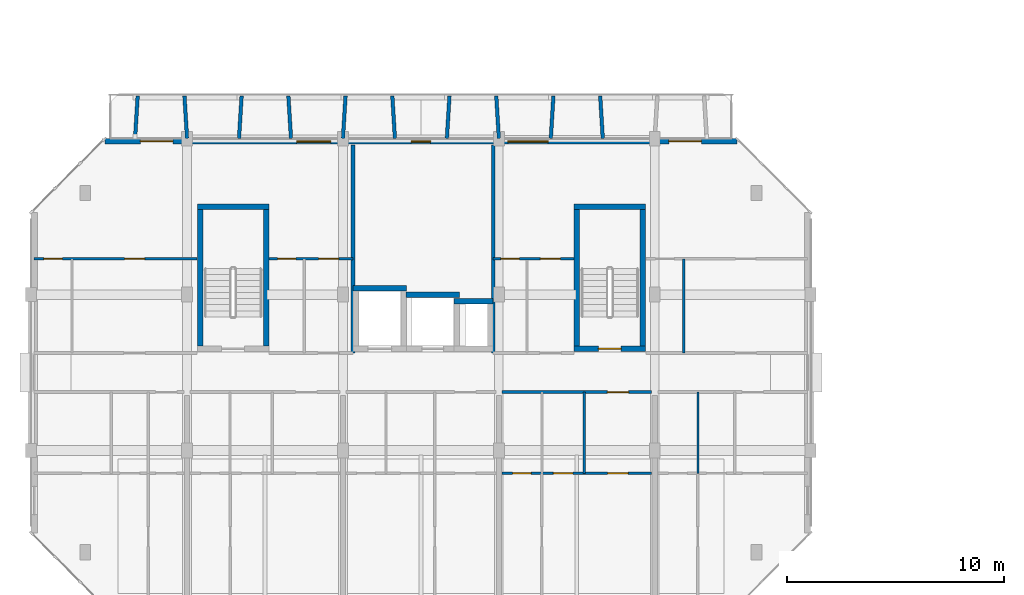
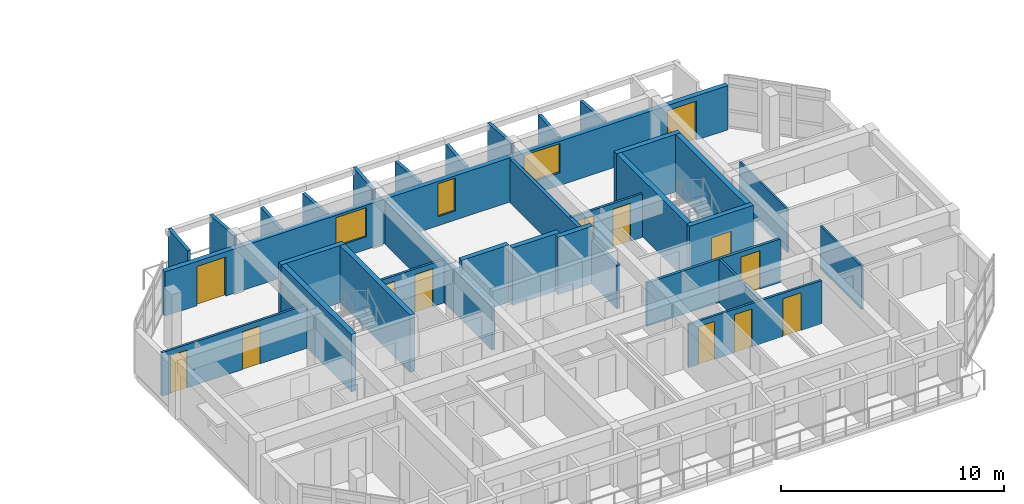
# One storey, part 16 of 43: 31 walls, 13 doors, 3 windows, 16 openings.
"""IFC4 building model written with IfcOpenShell, lengths in metres."""

from ifc_helpers import new_model, si_unit, direction, frame, frame_2d, origin, place, context, subcontext, project, spatial, rectangle, extrude, material, layer, layer_set, type_object, element, fill, save


model = new_model("IFC4")

# Units and contexts
model_context = context("Model", 3, precision=1e-05, world=origin(), true_north=direction((0.0, 1.0)))
body_context = subcontext(model_context, "Body", "Model", "MODEL_VIEW")
ifc_project = project(units=[si_unit("LENGTHUNIT", "METRE"), si_unit("AREAUNIT", "SQUARE_METRE"), si_unit("VOLUMEUNIT", "CUBIC_METRE"), si_unit("PLANEANGLEUNIT", "RADIAN"), si_unit("MASSUNIT", "GRAM", prefix="KILO")], contexts=[model_context])

# Site, building, storey
site_placement = place(None, origin())
site = spatial("IfcSite", under=ifc_project, at=site_placement, CompositionType="ELEMENT")
building_placement = place(site_placement, origin())
building = spatial("IfcBuilding", under=site, at=building_placement, Name="Ochrevale Crest", CompositionType="ELEMENT")
storey_placement = place(building_placement, frame((0.0, 0.0, 15.0)))
storey = spatial("IfcBuildingStorey", under=building, at=storey_placement, Name="L04", CompositionType="ELEMENT", Elevation=15.0)

# Wall, opening, door
ifc_material_1 = material(Name="Gypsum plasterboard", Category="gypsum")
ifc_layer_1 = layer(ifc_material_1, 0.139892578125)
ifc_layer_set_1 = layer_set([ifc_layer_1], Name="Gypsum plasterboard")
wall_type_1 = type_object("IfcWallType", Name="WL-COR-140", PredefinedType="PARTITIONING", material=ifc_layer_set_1)
wall_1_placement = place(storey_placement, frame((21.739990234375, 24.300048828125, 0.0), z_axis=(0.0, 0.0, 1.0), x_axis=(1.0, 0.0, 0.0)))
wall_1 = element("IfcWall", 1, at=wall_1_placement, inside=storey, type_object=wall_type_1, Name="Apartment A-L04-U4 corridor wall", PredefinedType="PARTITIONING", context=body_context, shape_type="SweptSolid", body=[
    extrude(rectangle(XDim=6.919921875, YDim=0.139892578125, at=frame_2d((3.4599609375, 0.0))), origin(), (0.0, 0.0, 1.0), 2.3798828125),
])
opening_1_placement = place(wall_1_placement, frame((5.85009765625, 0.0, 0.0), z_axis=(0.0, 0.0, 1.0), x_axis=(-1.0, 0.0, 0.0)))
opening_1 = element("IfcOpeningElement", 2, at=opening_1_placement, cuts=wall_1, Name="Opening FD01", PredefinedType="OPENING", context=body_context, shape_type="SweptSolid", body=[
    extrude(rectangle(XDim=0.97998046875, YDim=2.10009765625, at=frame_2d((0.489990234375, 1.050048828125))), frame((0.0, 0.080078125, 0.0), z_axis=(0.0, -1.0, 0.0), x_axis=(1.0, 0.0, 0.0)), (0.0, 0.0, 1.0), 0.159912109375),
])
ifc_material_2 = material(Name="Solid-core FSC hardwood", Category="wood")
door_type_1 = type_object("IfcDoorType", Name="DR-APT-950", OperationType="NOTDEFINED", PredefinedType="DOOR", material=ifc_material_2)
door_1_placement = place(opening_1_placement, origin())
door_1 = element("IfcDoor", 3, at=door_1_placement, inside=storey, type_object=door_type_1, Name="Apartment A-L04-U4 entrance door", OperationType="SINGLE_SWING_RIGHT", OverallHeight=2.10009765625, OverallWidth=0.97998046875, PredefinedType="DOOR", context=body_context, shape_type="SweptSolid", body=[
    extrude(rectangle(XDim=0.97998046875, YDim=2.10009765625, at=frame_2d((0.489990234375, 1.050048828125))), frame((0.0, 0.02490234375, 0.0), z_axis=(0.0, -1.0, 0.0), x_axis=(1.0, 0.0, 0.0)), (0.0, 0.0, 1.0), 0.050048828125),
])
fill(opening_1, door_1)

# Walls
ifc_material_3 = material(Name="Precast concrete C50/60", Category="concrete")
ifc_layer_2 = layer(ifc_material_3, 0.2548828125)
ifc_layer_set_2 = layer_set([ifc_layer_2], Name="Precast concrete C50/60")
wall_type_2 = type_object("IfcWallType", Name="WL-CORE-255", PredefinedType="SHEAR", material=ifc_layer_set_2)
wall_2_placement = place(storey_placement, frame((7.672607421875, 32.85009765625, 0.0), z_axis=(0.0, 0.0, 1.0), x_axis=(1.0, 0.0, 0.0)))
element("IfcWall", 4, at=wall_2_placement, inside=storey, type_object=wall_type_2, Name="Block A L04 Stair 1 precast core shear wall N", PredefinedType="SHEAR", context=body_context, shape_type="SweptSolid", body=[
    extrude(rectangle(XDim=3.304931640625, YDim=0.2548828125, at=frame_2d((1.65234375, 0.0))), origin(), (0.0, 0.0, 1.0), 3.14990234375),
])
for number, where, z_axis, x_axis, name in (
    (5, (7.800048828125, 26.427490234375, 0.0), (0.0, 0.0, 1.0), (0.0, 1.0, 0.0), "Block A L04 Stair 1 precast core shear wall W"),
    (6, (10.85009765625, 26.427490234375, 0.0), (0.0, 0.0, 1.0), (0.0, 1.0, 0.0), "Block A L04 Stair 1 precast core shear wall E"),
):
    element("IfcWall", number, at=place(storey_placement, frame(where, z_axis=z_axis, x_axis=x_axis)), inside=storey, type_object=wall_type_2, Name=name, PredefinedType="SHEAR", context=body_context, shape_type="SweptSolid", body=[
        extrude(rectangle(XDim=6.294921875, YDim=0.2548828125, at=frame_2d((3.1474609375, 0.0))), origin(), (0.0, 0.0, 1.0), 3.14990234375),
    ])

# Wall, opening, door
wall_3_placement = place(storey_placement, frame((25.072509765625, 26.300048828125, 0.0), z_axis=(0.0, 0.0, 1.0), x_axis=(1.0, 0.0, 0.0)))
wall_3 = element("IfcWall", 7, at=wall_3_placement, inside=storey, type_object=wall_type_2, Name="Block A L04 Stair 2 precast core shear wall S", PredefinedType="SHEAR", context=body_context, shape_type="SweptSolid", body=[
    extrude(rectangle(XDim=3.304931640625, YDim=0.2548828125, at=frame_2d((1.65234375, 0.0))), origin(), (0.0, 0.0, 1.0), 3.14990234375),
])
opening_2_placement = place(wall_3_placement, frame((1.12744140625, 0.0, 0.0)))
opening_2 = element("IfcOpeningElement", 8, at=opening_2_placement, cuts=wall_3, Name="Opening FD03", PredefinedType="OPENING", context=body_context, shape_type="SweptSolid", body=[
    extrude(rectangle(XDim=1.050048828125, YDim=2.1201171875, at=frame_2d((0.52490234375, 1.06005859375))), frame((0.0, 0.137451171875, 0.0), z_axis=(0.0, -1.0, 0.0), x_axis=(1.0, 0.0, 0.0)), (0.0, 0.0, 1.0), 0.27490234375),
])
door_type_2 = type_object("IfcDoorType", Name="DR-ST-1050", OperationType="NOTDEFINED", PredefinedType="DOOR", material=ifc_material_2)
door_2_placement = place(opening_2_placement, origin())
door_2 = element("IfcDoor", 9, at=door_2_placement, inside=storey, type_object=door_type_2, Name="Block A L04 fire stair 2 door", OperationType="SINGLE_SWING_LEFT", OverallHeight=2.1201171875, OverallWidth=1.050048828125, PredefinedType="DOOR", context=body_context, shape_type="SweptSolid", body=[
    extrude(rectangle(XDim=1.050048828125, YDim=2.1201171875, at=frame_2d((0.52490234375, 1.06005859375))), frame((0.0, 0.02490234375, 0.0), z_axis=(0.0, -1.0, 0.0), x_axis=(1.0, 0.0, 0.0)), (0.0, 0.0, 1.0), 0.050048828125),
])
fill(opening_2, door_2)

# Walls
wall_4_placement = place(storey_placement, frame((25.072509765625, 32.85009765625, 0.0), z_axis=(0.0, 0.0, 1.0), x_axis=(1.0, 0.0, 0.0)))
element("IfcWall", 10, at=wall_4_placement, inside=storey, type_object=wall_type_2, Name="Block A L04 Stair 2 precast core shear wall N", PredefinedType="SHEAR", context=body_context, shape_type="SweptSolid", body=[
    extrude(rectangle(XDim=3.304931640625, YDim=0.2548828125, at=frame_2d((1.65234375, 0.0))), origin(), (0.0, 0.0, 1.0), 3.14990234375),
])
for number, where, z_axis, x_axis, name in (
    (11, (25.199951171875, 26.427490234375, 0.0), (0.0, 0.0, 1.0), (0.0, 1.0, 0.0), "Block A L04 Stair 2 precast core shear wall W"),
    (12, (28.25, 26.427490234375, 0.0), (0.0, 0.0, 1.0), (0.0, 1.0, 0.0), "Block A L04 Stair 2 precast core shear wall E"),
):
    element("IfcWall", number, at=place(storey_placement, frame(where, z_axis=z_axis, x_axis=x_axis)), inside=storey, type_object=wall_type_2, Name=name, PredefinedType="SHEAR", context=body_context, shape_type="SweptSolid", body=[
        extrude(rectangle(XDim=6.294921875, YDim=0.2548828125, at=frame_2d((3.1474609375, 0.0))), origin(), (0.0, 0.0, 1.0), 3.14990234375),
    ])
wall_5_placement = place(storey_placement, frame((14.87255859375, 29.10009765625, 0.0), z_axis=(0.0, 0.0, 1.0), x_axis=(1.0, 0.0, 0.0)))
element("IfcWall", 13, at=wall_5_placement, inside=storey, type_object=wall_type_2, Name="Block A L04 Lift 1 precast shaft shear wall N", PredefinedType="SHEAR", context=body_context, shape_type="SweptSolid", body=[
    extrude(rectangle(XDim=2.454833984375, YDim=0.2548828125, at=frame_2d((1.2275390625, 0.0))), origin(), (0.0, 0.0, 1.0), 3.14990234375),
])
wall_6_placement = place(storey_placement, frame((17.322509765625, 28.800048828125, 0.0), z_axis=(0.0, 0.0, 1.0), x_axis=(1.0, 0.0, 0.0)))
element("IfcWall", 14, at=wall_6_placement, inside=storey, type_object=wall_type_2, Name="Block A L04 Lift 2 precast shaft shear wall N", PredefinedType="SHEAR", context=body_context, shape_type="SweptSolid", body=[
    extrude(rectangle(XDim=2.455078125, YDim=0.2548828125, at=frame_2d((1.2275390625, 0.0))), origin(), (0.0, 0.0, 1.0), 3.14990234375),
])
wall_7_placement = place(storey_placement, frame((19.5224609375, 28.5, 0.0), z_axis=(0.0, 0.0, 1.0), x_axis=(1.0, 0.0, 0.0)))
element("IfcWall", 15, at=wall_7_placement, inside=storey, type_object=wall_type_2, Name="Block A L04 services riser shaft core wall N", PredefinedType="SHEAR", context=body_context, shape_type="SweptSolid", body=[
    extrude(rectangle(XDim=1.804931640625, YDim=0.2548828125, at=frame_2d((0.90234375, 0.0))), origin(), (0.0, 0.0, 1.0), 3.14990234375),
])

# Wall, openings, doors, windows
ifc_material_4 = material(Name="Precast concrete C40/50", Category="concrete")
ifc_layer_3 = layer(ifc_material_4, 0.25)
ifc_layer_set_3 = layer_set([ifc_layer_3], Name="Precast concrete C40/50")
wall_type_3 = type_object("IfcWallType", Name="WL-EXT-GOLD-250", PredefinedType="SOLIDWALL", material=ifc_layer_set_3)
wall_8_placement = place(storey_placement, frame((32.60009765625, 35.875, 0.0), z_axis=(0.0, 0.0, 1.0), x_axis=(-1.0, 0.0, 0.0)))
wall_8 = element("IfcWall", 16, at=wall_8_placement, inside=storey, type_object=wall_type_3, Name="Block A L04 external facade wall E5", PredefinedType="SOLIDWALL", context=body_context, shape_type="SweptSolid", body=[
    extrude(rectangle(XDim=29.2001953125, YDim=0.25, at=frame_2d((14.60009765625, 0.0))), origin(), (0.0, 0.0, 1.0), 2.429931640625),
])
opening_3_placement = place(wall_8_placement, frame((27.550048828125, 0.0, 0.0), z_axis=(0.0, 0.0, 1.0), x_axis=(-1.0, 0.0, 0.0)))
opening_3 = element("IfcOpeningElement", 17, at=opening_3_placement, cuts=wall_8, Name="Opening BD01", PredefinedType="OPENING", context=body_context, shape_type="SweptSolid", body=[
    extrude(rectangle(XDim=1.5, YDim=2.14990234375, at=frame_2d((0.75, 1.074951171875))), frame((0.0, 0.135009765625, 0.0), z_axis=(0.0, -1.0, 0.0), x_axis=(1.0, 0.0, 0.0)), (0.0, 0.0, 1.0), 0.27001953125),
])
opening_4_placement = place(wall_8_placement, frame((3.14990234375, 0.0, 0.0), z_axis=(0.0, 0.0, 1.0), x_axis=(-1.0, 0.0, 0.0)))
opening_4 = element("IfcOpeningElement", 18, at=opening_4_placement, cuts=wall_8, Name="Opening BD01", PredefinedType="OPENING", context=body_context, shape_type="SweptSolid", body=[
    extrude(rectangle(XDim=1.5, YDim=2.14990234375, at=frame_2d((0.75, 1.074951171875))), frame((0.0, 0.135009765625, 0.0), z_axis=(0.0, -1.0, 0.0), x_axis=(1.0, 0.0, 0.0)), (0.0, 0.0, 1.0), 0.27001953125),
])
opening_5_placement = place(wall_8_placement, frame((14.14990234375, 0.0, 0.5)))
opening_5 = element("IfcOpeningElement", 19, at=opening_5_placement, cuts=wall_8, Name="Opening W17", PredefinedType="OPENING", context=body_context, shape_type="SweptSolid", body=[
    extrude(rectangle(XDim=0.89990234375, YDim=1.800048828125, at=frame_2d((0.449951171875, 0.89990234375))), frame((0.0, 0.135009765625, 0.0), z_axis=(0.0, -1.0, 0.0), x_axis=(1.0, 0.0, 0.0)), (0.0, 0.0, 1.0), 0.27001953125),
])
opening_6_placement = place(wall_8_placement, frame((8.72509765625, 0.0, 0.699951171875)))
opening_6 = element("IfcOpeningElement", 20, at=opening_6_placement, cuts=wall_8, Name="Opening W11", PredefinedType="OPENING", context=body_context, shape_type="SweptSolid", body=[
    extrude(rectangle(XDim=1.860107421875, YDim=1.60009765625, at=frame_2d((0.93017578125, 0.800048828125))), frame((0.0, 0.135009765625, 0.0), z_axis=(0.0, -1.0, 0.0), x_axis=(1.0, 0.0, 0.0)), (0.0, 0.0, 1.0), 0.27001953125),
])
opening_7_placement = place(wall_8_placement, frame((18.7548828125, 0.0, 0.699951171875)))
opening_7 = element("IfcOpeningElement", 21, at=opening_7_placement, cuts=wall_8, Name="Opening W09", PredefinedType="OPENING", context=body_context, shape_type="SweptSolid", body=[
    extrude(rectangle(XDim=1.580078125, YDim=1.60009765625, at=frame_2d((0.7900390625, 0.800048828125))), frame((0.0, 0.135009765625, 0.0), z_axis=(0.0, -1.0, 0.0), x_axis=(1.0, 0.0, 0.0)), (0.0, 0.0, 1.0), 0.27001953125),
])
ifc_material_5 = material(Name="Anodised aluminium 6063-T5 and toughened glass", Category="aluminium")
door_type_3 = type_object("IfcDoorType", Name="DR-BAL-1500", OperationType="NOTDEFINED", PredefinedType="DOOR", material=ifc_material_5)
door_3_placement = place(opening_3_placement, origin())
door_3 = element("IfcDoor", 22, at=door_3_placement, inside=storey, type_object=door_type_3, Name="Block A L04 balcony door N1", OperationType="SINGLE_SWING_LEFT", OverallHeight=2.14990234375, OverallWidth=1.5, PredefinedType="DOOR", context=body_context, shape_type="SweptSolid", body=[
    extrude(rectangle(XDim=1.5, YDim=2.14990234375, at=frame_2d((0.75, 1.074951171875))), frame((0.0, 0.02490234375, 0.0), z_axis=(0.0, -1.0, 0.0), x_axis=(1.0, 0.0, 0.0)), (0.0, 0.0, 1.0), 0.050048828125),
])
fill(opening_3, door_3)
door_4_placement = place(opening_4_placement, origin())
door_4 = element("IfcDoor", 23, at=door_4_placement, inside=storey, type_object=door_type_3, Name="Block A L04 balcony door N5", OperationType="SINGLE_SWING_RIGHT", OverallHeight=2.14990234375, OverallWidth=1.5, PredefinedType="DOOR", context=body_context, shape_type="SweptSolid", body=[
    extrude(rectangle(XDim=1.5, YDim=2.14990234375, at=frame_2d((0.75, 1.074951171875))), frame((0.0, 0.02490234375, 0.0), z_axis=(0.0, -1.0, 0.0), x_axis=(1.0, 0.0, 0.0)), (0.0, 0.0, 1.0), 0.050048828125),
])
fill(opening_4, door_4)
ifc_material_6 = material(Name="Anodised aluminium 6063-T5 and low-E double glazing", Category="aluminium")
window_type_1 = type_object("IfcWindowType", Name="WIN-W09", PartitioningType="SINGLE_PANEL", PredefinedType="WINDOW", material=ifc_material_6)
window_1_placement = place(opening_7_placement, origin())
window_1 = element("IfcWindow", 24, at=window_1_placement, inside=storey, type_object=window_type_1, Name="Block A L04 Suite A-L04-MW Courtyard Studio Living window", OverallHeight=1.60009765625, OverallWidth=1.580078125, PartitioningType="SINGLE_PANEL", PredefinedType="WINDOW", context=body_context, shape_type="SweptSolid", body=[
    extrude(rectangle(XDim=1.580078125, YDim=1.60009765625, at=frame_2d((0.7900390625, 0.800048828125))), frame((0.0, 0.030029296875, 0.0), z_axis=(0.0, -1.0, 0.0), x_axis=(1.0, 0.0, 0.0)), (0.0, 0.0, 1.0), 0.06005859375),
])
fill(opening_7, window_1)
window_type_2 = type_object("IfcWindowType", Name="WIN-W11", PartitioningType="SINGLE_PANEL", PredefinedType="WINDOW", material=ifc_material_6)
window_2_placement = place(opening_6_placement, origin())
window_2 = element("IfcWindow", 25, at=window_2_placement, inside=storey, type_object=window_type_2, Name="Block A L04 Suite A-L04-ME Garden Alcove Studio window", OverallHeight=1.60009765625, OverallWidth=1.860107421875, PartitioningType="SINGLE_PANEL", PredefinedType="WINDOW", context=body_context, shape_type="SweptSolid", body=[
    extrude(rectangle(XDim=1.860107421875, YDim=1.60009765625, at=frame_2d((0.93017578125, 0.800048828125))), frame((0.0, 0.030029296875, 0.0), z_axis=(0.0, -1.0, 0.0), x_axis=(1.0, 0.0, 0.0)), (0.0, 0.0, 1.0), 0.06005859375),
])
fill(opening_6, window_2)
window_type_3 = type_object("IfcWindowType", Name="WIN-W17", PartitioningType="SINGLE_PANEL", PredefinedType="WINDOW", material=ifc_material_6)
window_3_placement = place(opening_5_placement, origin())
window_3 = element("IfcWindow", 26, at=window_3_placement, inside=storey, type_object=window_type_3, Name="Block A L04 core lancet window", OverallHeight=1.800048828125, OverallWidth=0.89990234375, PartitioningType="SINGLE_PANEL", PredefinedType="WINDOW", context=body_context, shape_type="SweptSolid", body=[
    extrude(rectangle(XDim=0.89990234375, YDim=1.800048828125, at=frame_2d((0.449951171875, 0.89990234375))), frame((0.0, 0.030029296875, 0.0), z_axis=(0.0, -1.0, 0.0), x_axis=(1.0, 0.0, 0.0)), (0.0, 0.0, 1.0), 0.06005859375),
])
fill(opening_5, window_3)

# Walls
ifc_layer_4 = layer(ifc_material_4, 0.1650390625)
ifc_layer_set_4 = layer_set([ifc_layer_4], Name="Precast concrete C40/50")
wall_type_4 = type_object("IfcWallType", Name="WL-HC-CHEEK-165", PredefinedType="ELEMENTEDWALL", material=ifc_layer_set_4)
for number, where, z_axis, x_axis, name in (
    (27, (4.800048828125, 36.02001953125, 0.0), (0.0, 0.0, 1.0), (0.061046865508, 0.998134900808, 0.0), "Block A L04 N precast honeycomb cheek 1"),
    (28, (7.199951171875, 36.02001953125, 0.0), (0.0, 0.0, 1.0), (-0.061046865508, 0.998134900808, 0.0), "Block A L04 N precast honeycomb cheek 2"),
):
    element("IfcWall", number, at=place(storey_placement, frame(where, z_axis=z_axis, x_axis=x_axis)), inside=storey, type_object=wall_type_4, Name=name, PredefinedType="ELEMENTEDWALL", context=body_context, shape_type="SweptSolid", body=[
        extrude(rectangle(XDim=1.963623046875, YDim=0.1650390625, at=frame_2d((0.98193359375, 0.0))), origin(), (0.0, 0.0, 1.0), 2.949951171875),
    ])
for number, where, z_axis, x_axis, name in (
    (29, (9.60009765625, 36.02001953125, 0.0), (0.0, 0.0, 1.0), (0.061046865508, 0.998134900808, 0.0), "Block A L04 N precast honeycomb cheek 3"),
    (30, (12.0, 36.02001953125, 0.0), (0.0, 0.0, 1.0), (-0.061170732449, 0.998127317276, 0.0), "Block A L04 N precast honeycomb cheek 4"),
):
    element("IfcWall", number, at=place(storey_placement, frame(where, z_axis=z_axis, x_axis=x_axis)), inside=storey, type_object=wall_type_4, Name=name, PredefinedType="ELEMENTEDWALL", context=body_context, shape_type="SweptSolid", body=[
        extrude(rectangle(XDim=1.963623046875, YDim=0.1650390625, at=frame_2d((0.98193359375, 0.0))), origin(), (0.0, 0.0, 1.0), 2.449951171875),
    ])
wall_9_placement = place(storey_placement, frame((14.39990234375, 36.02001953125, 0.0), z_axis=(0.0, 0.0, 1.0), x_axis=(0.061170732449, 0.998127317276, 0.0)))
element("IfcWall", 31, at=wall_9_placement, inside=storey, type_object=wall_type_4, Name="Block A L04 N precast honeycomb cheek 5", PredefinedType="ELEMENTEDWALL", context=body_context, shape_type="SweptSolid", body=[
    extrude(rectangle(XDim=1.963623046875, YDim=0.1650390625, at=frame_2d((0.98193359375, 0.0))), origin(), (0.0, 0.0, 1.0), 2.949951171875),
])
for number, where, z_axis, x_axis, name in (
    (32, (16.800048828125, 36.02001953125, 0.0), (0.0, 0.0, 1.0), (-0.061170732449, 0.998127317276, 0.0), "Block A L04 N precast honeycomb cheek 6"),
    (33, (19.199951171875, 36.02001953125, 0.0), (0.0, 0.0, 1.0), (0.061170732449, 0.998127317276, 0.0), "Block A L04 N precast honeycomb cheek 7"),
):
    element("IfcWall", number, at=place(storey_placement, frame(where, z_axis=z_axis, x_axis=x_axis)), inside=storey, type_object=wall_type_4, Name=name, PredefinedType="ELEMENTEDWALL", context=body_context, shape_type="SweptSolid", body=[
        extrude(rectangle(XDim=1.963623046875, YDim=0.1650390625, at=frame_2d((0.98193359375, 0.0))), origin(), (0.0, 0.0, 1.0), 2.530029296875),
    ])
wall_10_placement = place(storey_placement, frame((21.60009765625, 36.02001953125, 0.0), z_axis=(0.0, 0.0, 1.0), x_axis=(-0.061170732449, 0.998127317276, 0.0)))
element("IfcWall", 34, at=wall_10_placement, inside=storey, type_object=wall_type_4, Name="Block A L04 N precast honeycomb cheek 8", PredefinedType="ELEMENTEDWALL", context=body_context, shape_type="SweptSolid", body=[
    extrude(rectangle(XDim=1.963623046875, YDim=0.1650390625, at=frame_2d((0.98193359375, 0.0))), origin(), (0.0, 0.0, 1.0), 2.949951171875),
])
for number, where, z_axis, x_axis, name in (
    (35, (24.0, 36.02001953125, 0.0), (0.0, 0.0, 1.0), (0.061170732449, 0.998127317276, 0.0), "Block A L04 N precast honeycomb cheek 9"),
    (36, (26.39990234375, 36.02001953125, 0.0), (0.0, 0.0, 1.0), (-0.061046865508, 0.998134900808, 0.0), "Block A L04 N precast honeycomb cheek 10"),
):
    element("IfcWall", number, at=place(storey_placement, frame(where, z_axis=z_axis, x_axis=x_axis)), inside=storey, type_object=wall_type_4, Name=name, PredefinedType="ELEMENTEDWALL", context=body_context, shape_type="SweptSolid", body=[
        extrude(rectangle(XDim=1.963623046875, YDim=0.1650390625, at=frame_2d((0.98193359375, 0.0))), origin(), (0.0, 0.0, 1.0), 2.47998046875),
    ])
ifc_layer_5 = layer(ifc_material_1, 0.1201171875)
ifc_layer_set_5 = layer_set([ifc_layer_5], Name="Gypsum plasterboard")
wall_type_5 = type_object("IfcWallType", Name="WL-PART-120", PredefinedType="PARTITIONING", material=ifc_layer_set_5)
wall_11_placement = place(storey_placement, frame((25.5400390625, 20.550048828125, 0.0), z_axis=(0.0, 0.0, 1.0), x_axis=(0.0, 1.0, 0.0)))
element("IfcWall", 37, at=wall_11_placement, inside=storey, type_object=wall_type_5, Name="Apartment A-L04-U4 kitchen-foyer wall", PredefinedType="PARTITIONING", context=body_context, shape_type="SweptSolid", body=[
    extrude(rectangle(XDim=3.75, YDim=0.1201171875, at=frame_2d((1.875, 0.0))), origin(), (0.0, 0.0, 1.0), 2.375),
])

# Wall, openings, doors
wall_12_placement = place(storey_placement, frame((21.739990234375, 20.550048828125, 0.0), z_axis=(0.0, 0.0, 1.0), x_axis=(1.0, 0.0, 0.0)))
wall_12 = element("IfcWall", 38, at=wall_12_placement, inside=storey, type_object=wall_type_5, Name="Apartment A-L04-U4 central partition", PredefinedType="PARTITIONING", context=body_context, shape_type="SweptSolid", body=[
    extrude(rectangle(XDim=6.919921875, YDim=0.1201171875, at=frame_2d((3.4599609375, 0.0))), origin(), (0.0, 0.0, 1.0), 2.3798828125),
])
opening_8_placement = place(wall_12_placement, frame((0.5, 0.0, 0.0)))
opening_8 = element("IfcOpeningElement", 39, at=opening_8_placement, cuts=wall_12, Name="Opening ID01", PredefinedType="OPENING", context=body_context, shape_type="SweptSolid", body=[
    extrude(rectangle(XDim=0.85009765625, YDim=2.080078125, at=frame_2d((0.425048828125, 1.0400390625))), frame((0.0, 0.070068359375, 0.0), z_axis=(0.0, -1.0, 0.0), x_axis=(1.0, 0.0, 0.0)), (0.0, 0.0, 1.0), 0.14013671875),
])
opening_9_placement = place(wall_12_placement, frame((3.27490234375, 0.0, 0.0), z_axis=(0.0, 0.0, 1.0), x_axis=(-1.0, 0.0, 0.0)))
opening_9 = element("IfcOpeningElement", 40, at=opening_9_placement, cuts=wall_12, Name="Opening ID02", PredefinedType="OPENING", context=body_context, shape_type="SweptSolid", body=[
    extrude(rectangle(XDim=0.89990234375, YDim=2.080078125, at=frame_2d((0.449951171875, 1.0400390625))), frame((0.0, 0.070068359375, 0.0), z_axis=(0.0, -1.0, 0.0), x_axis=(1.0, 0.0, 0.0)), (0.0, 0.0, 1.0), 0.14013671875),
])
opening_10_placement = place(wall_12_placement, frame((4.885009765625, 0.0, 0.0)))
opening_10 = element("IfcOpeningElement", 41, at=opening_10_placement, cuts=wall_12, Name="Opening ID06", PredefinedType="OPENING", context=body_context, shape_type="SweptSolid", body=[
    extrude(rectangle(XDim=0.949951171875, YDim=2.080078125, at=frame_2d((0.47509765625, 1.0400390625))), frame((0.0, 0.070068359375, 0.0), z_axis=(0.0, -1.0, 0.0), x_axis=(1.0, 0.0, 0.0)), (0.0, 0.0, 1.0), 0.14013671875),
])
door_type_4 = type_object("IfcDoorType", Name="DR-INT-900", OperationType="NOTDEFINED", PredefinedType="DOOR", material=ifc_material_2)
door_5_placement = place(opening_9_placement, origin())
door_5 = element("IfcDoor", 42, at=door_5_placement, inside=storey, type_object=door_type_4, Name="Apartment A-L04-U4 Kitchen door", OperationType="SINGLE_SWING_RIGHT", OverallHeight=2.080078125, OverallWidth=0.89990234375, PredefinedType="DOOR", context=body_context, shape_type="SweptSolid", body=[
    extrude(rectangle(XDim=0.89990234375, YDim=2.080078125, at=frame_2d((0.449951171875, 1.0400390625))), frame((0.0, 0.02490234375, 0.0), z_axis=(0.0, -1.0, 0.0), x_axis=(1.0, 0.0, 0.0)), (0.0, 0.0, 1.0), 0.050048828125),
])
fill(opening_9, door_5)
door_type_5 = type_object("IfcDoorType", Name="DR-INT-950", OperationType="NOTDEFINED", PredefinedType="DOOR", material=ifc_material_2)
door_6_placement = place(opening_10_placement, origin())
door_6 = element("IfcDoor", 43, at=door_6_placement, inside=storey, type_object=door_type_5, Name="Apartment A-L04-U4 Living Foyer door", OperationType="SINGLE_SWING_LEFT", OverallHeight=2.080078125, OverallWidth=0.949951171875, PredefinedType="DOOR", context=body_context, shape_type="SweptSolid", body=[
    extrude(rectangle(XDim=0.949951171875, YDim=2.080078125, at=frame_2d((0.47509765625, 1.0400390625))), frame((0.0, 0.02490234375, 0.0), z_axis=(0.0, -1.0, 0.0), x_axis=(1.0, 0.0, 0.0)), (0.0, 0.0, 1.0), 0.050048828125),
])
fill(opening_10, door_6)
door_type_6 = type_object("IfcDoorType", Name="DR-WC-850", OperationType="NOTDEFINED", PredefinedType="DOOR", material=ifc_material_2)
door_7_placement = place(opening_8_placement, origin())
door_7 = element("IfcDoor", 44, at=door_7_placement, inside=storey, type_object=door_type_6, Name="Apartment A-L04-U4 Bathroom door", OperationType="SINGLE_SWING_LEFT", OverallHeight=2.080078125, OverallWidth=0.85009765625, PredefinedType="DOOR", context=body_context, shape_type="SweptSolid", body=[
    extrude(rectangle(XDim=0.85009765625, YDim=2.080078125, at=frame_2d((0.425048828125, 1.0400390625))), frame((0.0, 0.02490234375, 0.0), z_axis=(0.0, -1.0, 0.0), x_axis=(1.0, 0.0, 0.0)), (0.0, 0.0, 1.0), 0.050048828125),
])
fill(opening_8, door_7)

wall_13_placement = place(storey_placement, frame((0.139892578125, 30.449951171875, 0.0), z_axis=(0.0, 0.0, 1.0), x_axis=(1.0, 0.0, 0.0)))
wall_13 = element("IfcWall", 45, at=wall_13_placement, inside=storey, type_object=wall_type_5, Name="Suite A-L04-CW internal wall", PredefinedType="PARTITIONING", context=body_context, shape_type="SweptSolid", body=[
    extrude(rectangle(XDim=7.52001953125, YDim=0.1201171875, at=frame_2d((3.760009765625, 0.0))), origin(), (0.0, 0.0, 1.0), 2.3798828125),
])
opening_11_placement = place(wall_13_placement, frame((0.449951171875, 0.0, 0.0)))
opening_11 = element("IfcOpeningElement", 46, at=opening_11_placement, cuts=wall_13, Name="Opening ID01", PredefinedType="OPENING", context=body_context, shape_type="SweptSolid", body=[
    extrude(rectangle(XDim=0.85009765625, YDim=2.080078125, at=frame_2d((0.425048828125, 1.0400390625))), frame((0.0, 0.070068359375, 0.0), z_axis=(0.0, -1.0, 0.0), x_axis=(1.0, 0.0, 0.0)), (0.0, 0.0, 1.0), 0.14013671875),
])
opening_12_placement = place(wall_13_placement, frame((5.094970703125, 0.0, 0.0), z_axis=(0.0, 0.0, 1.0), x_axis=(-1.0, 0.0, 0.0)))
opening_12 = element("IfcOpeningElement", 47, at=opening_12_placement, cuts=wall_13, Name="Opening ID04", PredefinedType="OPENING", context=body_context, shape_type="SweptSolid", body=[
    extrude(rectangle(XDim=0.919921875, YDim=2.080078125, at=frame_2d((0.4599609375, 1.0400390625))), frame((0.0, 0.070068359375, 0.0), z_axis=(0.0, -1.0, 0.0), x_axis=(1.0, 0.0, 0.0)), (0.0, 0.0, 1.0), 0.14013671875),
])
door_type_7 = type_object("IfcDoorType", Name="DR-INT-920", OperationType="NOTDEFINED", PredefinedType="DOOR", material=ifc_material_2)
door_8_placement = place(opening_12_placement, origin())
door_8 = element("IfcDoor", 48, at=door_8_placement, inside=storey, type_object=door_type_7, Name="Suite A-L04-CW Garden Alcove Studio door", OperationType="SINGLE_SWING_RIGHT", OverallHeight=2.080078125, OverallWidth=0.919921875, PredefinedType="DOOR", context=body_context, shape_type="SweptSolid", body=[
    extrude(rectangle(XDim=0.919921875, YDim=2.080078125, at=frame_2d((0.4599609375, 1.0400390625))), frame((0.0, 0.02490234375, 0.0), z_axis=(0.0, -1.0, 0.0), x_axis=(1.0, 0.0, 0.0)), (0.0, 0.0, 1.0), 0.050048828125),
])
fill(opening_12, door_8)
door_9_placement = place(opening_11_placement, origin())
door_9 = element("IfcDoor", 49, at=door_9_placement, inside=storey, type_object=door_type_6, Name="Suite A-L04-CW Bathroom door", OperationType="SINGLE_SWING_LEFT", OverallHeight=2.080078125, OverallWidth=0.85009765625, PredefinedType="DOOR", context=body_context, shape_type="SweptSolid", body=[
    extrude(rectangle(XDim=0.85009765625, YDim=2.080078125, at=frame_2d((0.425048828125, 1.0400390625))), frame((0.0, 0.02490234375, 0.0), z_axis=(0.0, -1.0, 0.0), x_axis=(1.0, 0.0, 0.0)), (0.0, 0.0, 1.0), 0.050048828125),
])
fill(opening_11, door_9)

wall_14_placement = place(storey_placement, frame((10.989990234375, 30.449951171875, 0.0), z_axis=(0.0, 0.0, 1.0), x_axis=(1.0, 0.0, 0.0)))
wall_14 = element("IfcWall", 50, at=wall_14_placement, inside=storey, type_object=wall_type_5, Name="Suite A-L04-MW internal wall", PredefinedType="PARTITIONING", context=body_context, shape_type="SweptSolid", body=[
    extrude(rectangle(XDim=3.8701171875, YDim=0.1201171875, at=frame_2d((1.93505859375, 0.0))), origin(), (0.0, 0.0, 1.0), 2.3798828125),
])
opening_13_placement = place(wall_14_placement, frame((1.23779296875, 0.0, 0.0), z_axis=(0.0, 0.0, 1.0), x_axis=(-1.0, 0.0, 0.0)))
opening_13 = element("IfcOpeningElement", 51, at=opening_13_placement, cuts=wall_14, Name="Opening ID01", PredefinedType="OPENING", context=body_context, shape_type="SweptSolid", body=[
    extrude(rectangle(XDim=0.85009765625, YDim=2.080078125, at=frame_2d((0.425048828125, 1.0400390625))), frame((0.0, 0.070068359375, 0.0), z_axis=(0.0, -1.0, 0.0), x_axis=(1.0, 0.0, 0.0)), (0.0, 0.0, 1.0), 0.14013671875),
])
opening_14_placement = place(wall_14_placement, frame((2.28759765625, 0.0, 0.0)))
opening_14 = element("IfcOpeningElement", 52, at=opening_14_placement, cuts=wall_14, Name="Opening ID04", PredefinedType="OPENING", context=body_context, shape_type="SweptSolid", body=[
    extrude(rectangle(XDim=0.919921875, YDim=2.080078125, at=frame_2d((0.4599609375, 1.0400390625))), frame((0.0, 0.070068359375, 0.0), z_axis=(0.0, -1.0, 0.0), x_axis=(1.0, 0.0, 0.0)), (0.0, 0.0, 1.0), 0.14013671875),
])
door_10_placement = place(opening_14_placement, origin())
door_10 = element("IfcDoor", 53, at=door_10_placement, inside=storey, type_object=door_type_7, Name="Suite A-L04-MW Courtyard Studio Living door", OperationType="SINGLE_SWING_LEFT", OverallHeight=2.080078125, OverallWidth=0.919921875, PredefinedType="DOOR", context=body_context, shape_type="SweptSolid", body=[
    extrude(rectangle(XDim=0.919921875, YDim=2.080078125, at=frame_2d((0.4599609375, 1.0400390625))), frame((0.0, 0.02490234375, 0.0), z_axis=(0.0, -1.0, 0.0), x_axis=(1.0, 0.0, 0.0)), (0.0, 0.0, 1.0), 0.050048828125),
])
fill(opening_14, door_10)
door_11_placement = place(opening_13_placement, origin())
door_11 = element("IfcDoor", 54, at=door_11_placement, inside=storey, type_object=door_type_6, Name="Suite A-L04-MW Bathroom door", OperationType="SINGLE_SWING_RIGHT", OverallHeight=2.080078125, OverallWidth=0.85009765625, PredefinedType="DOOR", context=body_context, shape_type="SweptSolid", body=[
    extrude(rectangle(XDim=0.85009765625, YDim=2.080078125, at=frame_2d((0.425048828125, 1.0400390625))), frame((0.0, 0.02490234375, 0.0), z_axis=(0.0, -1.0, 0.0), x_axis=(1.0, 0.0, 0.0)), (0.0, 0.0, 1.0), 0.050048828125),
])
fill(opening_13, door_11)

wall_15_placement = place(storey_placement, frame((21.340087890625, 30.449951171875, 0.0), z_axis=(0.0, 0.0, 1.0), x_axis=(1.0, 0.0, 0.0)))
wall_15 = element("IfcWall", 55, at=wall_15_placement, inside=storey, type_object=wall_type_5, Name="Suite A-L04-ME internal wall", PredefinedType="PARTITIONING", context=body_context, shape_type="SweptSolid", body=[
    extrude(rectangle(XDim=3.719970703125, YDim=0.1201171875, at=frame_2d((1.85986328125, 0.0))), origin(), (0.0, 0.0, 1.0), 2.3798828125),
])
opening_15_placement = place(wall_15_placement, frame((0.356201171875, 0.0, 0.0)))
opening_15 = element("IfcOpeningElement", 56, at=opening_15_placement, cuts=wall_15, Name="Opening ID01", PredefinedType="OPENING", context=body_context, shape_type="SweptSolid", body=[
    extrude(rectangle(XDim=0.85009765625, YDim=2.080078125, at=frame_2d((0.425048828125, 1.0400390625))), frame((0.0, 0.070068359375, 0.0), z_axis=(0.0, -1.0, 0.0), x_axis=(1.0, 0.0, 0.0)), (0.0, 0.0, 1.0), 0.14013671875),
])
opening_16_placement = place(wall_15_placement, frame((3.10107421875, 0.0, 0.0), z_axis=(0.0, 0.0, 1.0), x_axis=(-1.0, 0.0, 0.0)))
opening_16 = element("IfcOpeningElement", 57, at=opening_16_placement, cuts=wall_15, Name="Opening ID04", PredefinedType="OPENING", context=body_context, shape_type="SweptSolid", body=[
    extrude(rectangle(XDim=0.919921875, YDim=2.080078125, at=frame_2d((0.4599609375, 1.0400390625))), frame((0.0, 0.070068359375, 0.0), z_axis=(0.0, -1.0, 0.0), x_axis=(1.0, 0.0, 0.0)), (0.0, 0.0, 1.0), 0.14013671875),
])
door_12_placement = place(opening_16_placement, origin())
door_12 = element("IfcDoor", 58, at=door_12_placement, inside=storey, type_object=door_type_7, Name="Suite A-L04-ME Garden Alcove Studio door", OperationType="SINGLE_SWING_RIGHT", OverallHeight=2.080078125, OverallWidth=0.919921875, PredefinedType="DOOR", context=body_context, shape_type="SweptSolid", body=[
    extrude(rectangle(XDim=0.919921875, YDim=2.080078125, at=frame_2d((0.4599609375, 1.0400390625))), frame((0.0, 0.02490234375, 0.0), z_axis=(0.0, -1.0, 0.0), x_axis=(1.0, 0.0, 0.0)), (0.0, 0.0, 1.0), 0.050048828125),
])
fill(opening_16, door_12)
door_13_placement = place(opening_15_placement, origin())
door_13 = element("IfcDoor", 59, at=door_13_placement, inside=storey, type_object=door_type_6, Name="Suite A-L04-ME Bathroom door", OperationType="SINGLE_SWING_LEFT", OverallHeight=2.080078125, OverallWidth=0.85009765625, PredefinedType="DOOR", context=body_context, shape_type="SweptSolid", body=[
    extrude(rectangle(XDim=0.85009765625, YDim=2.080078125, at=frame_2d((0.425048828125, 1.0400390625))), frame((0.0, 0.02490234375, 0.0), z_axis=(0.0, -1.0, 0.0), x_axis=(1.0, 0.0, 0.0)), (0.0, 0.0, 1.0), 0.050048828125),
])
fill(opening_15, door_13)

# Walls
ifc_layer_6 = layer(ifc_material_1, 0.169921875)
ifc_layer_set_6 = layer_set([ifc_layer_6], Name="Gypsum plasterboard")
wall_type_6 = type_object("IfcWallType", Name="WL-TEN-170", PredefinedType="PARTITIONING", material=ifc_layer_set_6)
for number, where, z_axis, x_axis, name in (
    (60, (14.860107421875, 26.10009765625, 0.0), (0.0, 0.0, 1.0), (0.0, 1.0, 0.0), "Suite A-L04-MW east party wall"),
    (61, (21.340087890625, 26.10009765625, 0.0), (0.0, 0.0, 1.0), (0.0, 1.0, 0.0), "Suite A-L04-ME west party wall"),
):
    element("IfcWall", number, at=place(storey_placement, frame(where, z_axis=z_axis, x_axis=x_axis)), inside=storey, type_object=wall_type_6, Name=name, PredefinedType="PARTITIONING", context=body_context, shape_type="SweptSolid", body=[
        extrude(rectangle(XDim=9.599853515625, YDim=0.169921875, at=frame_2d((4.7998046875, 0.0))), origin(), (0.0, 0.0, 1.0), 2.3798828125),
    ])
ifc_layer_7 = layer(ifc_material_1, 0.10009765625)
ifc_layer_set_7 = layer_set([ifc_layer_7], Name="Gypsum plasterboard")
wall_type_7 = type_object("IfcWallType", Name="WL-WET-100", PredefinedType="PARTITIONING", material=ifc_layer_set_7)
wall_16_placement = place(storey_placement, frame((30.7900390625, 20.550048828125, 0.0), z_axis=(0.0, 0.0, 1.0), x_axis=(0.0, 1.0, 0.0)))
element("IfcWall", 62, at=wall_16_placement, inside=storey, type_object=wall_type_7, Name="Apartment A-L04-U5 bath-kitchen wall", PredefinedType="PARTITIONING", context=body_context, shape_type="SweptSolid", body=[
    extrude(rectangle(XDim=3.75, YDim=0.10009765625, at=frame_2d((1.875, 0.0))), origin(), (0.0, 0.0, 1.0), 2.375),
])
wall_17_placement = place(storey_placement, frame((30.139892578125, 26.10009765625, 0.0), z_axis=(0.0, 0.0, 1.0), x_axis=(0.0, 1.0, 0.0)))
element("IfcWall", 63, at=wall_17_placement, inside=storey, type_object=wall_type_7, Name="Suite A-L04-CE bathroom divider", PredefinedType="PARTITIONING", context=body_context, shape_type="SweptSolid", body=[
    extrude(rectangle(XDim=4.349853515625, YDim=0.10009765625, at=frame_2d((2.1748046875, 0.0))), origin(), (0.0, 0.0, 1.0), 2.375),
])

save(model, "model.ifc")
